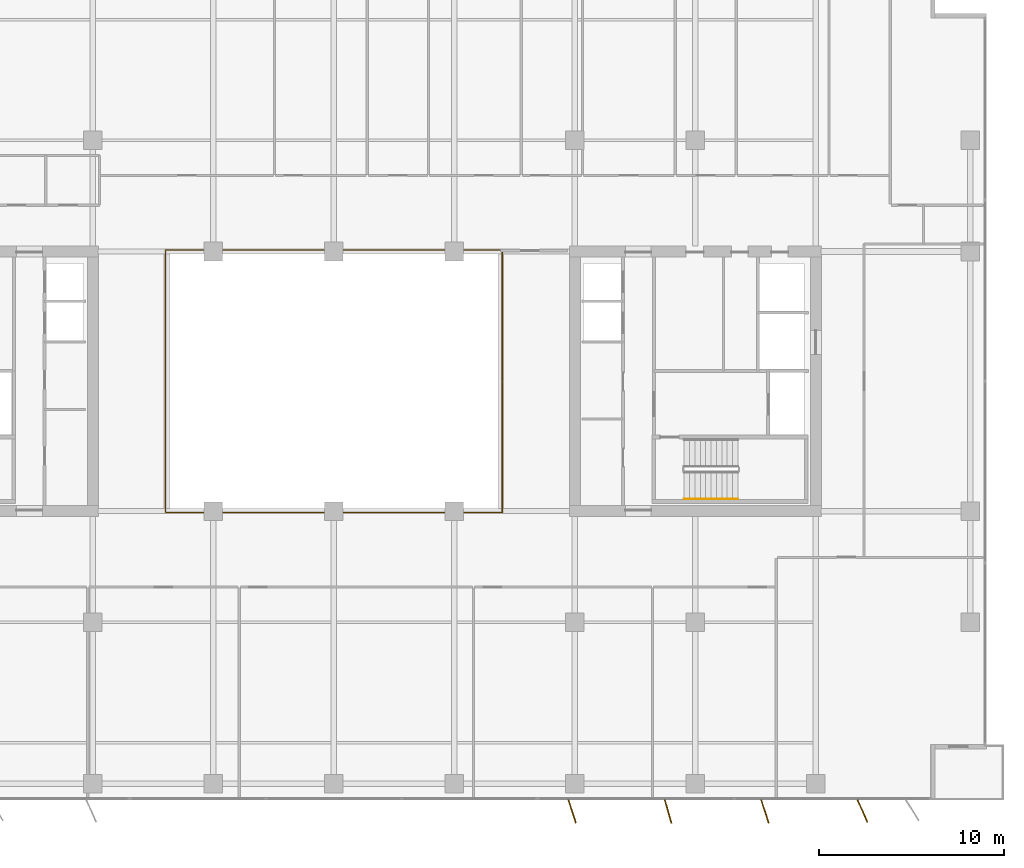
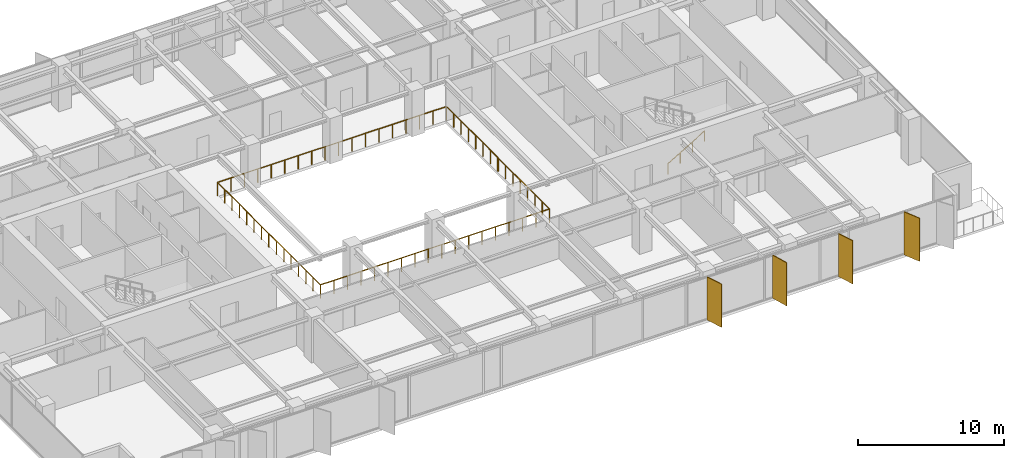
# One storey, part 20 of 22: 4 shading devices, 3 railings.
"""IFC4 building model written with IfcOpenShell, lengths in metres."""

from ifc_helpers import new_model, si_unit, direction, frame, origin, origin_2d, place, context, subcontext, project, spatial, rectangle, circle, extrude, material, layer, layer_set, type_object, element, save


model = new_model("IFC4")

# Units and contexts
model_context = context("Model", 3, precision=1e-05, world=origin(), true_north=direction((0.0, 1.0)))
body_context = subcontext(model_context, "Body", "Model", "MODEL_VIEW")
ifc_project = project(units=[si_unit("LENGTHUNIT", "METRE"), si_unit("AREAUNIT", "SQUARE_METRE"), si_unit("VOLUMEUNIT", "CUBIC_METRE"), si_unit("PLANEANGLEUNIT", "RADIAN"), si_unit("MASSUNIT", "GRAM", prefix="KILO")], contexts=[model_context])

# Site, building, storey
site_placement = place(None, origin())
site = spatial("IfcSite", under=ifc_project, at=site_placement, CompositionType="ELEMENT")
building_placement = place(site_placement, origin())
building = spatial("IfcBuilding", under=site, at=building_placement, Name="Putna Gate Headquarters", CompositionType="ELEMENT")
storey_placement = place(building_placement, frame((0.0, 0.0, 186.0)))
storey = spatial("IfcBuildingStorey", under=building, at=storey_placement, Name="L46", CompositionType="ELEMENT", Elevation=186.0)

# Railings
ifc_material_1 = material(Name="Anodised bronze and laminated glass atrium balustrade", Category="glass")
railing_type_1 = type_object("IfcRailingType", Name="RAIL-ATRIUM-GUARD-1150", PredefinedType="GUARDRAIL", material=ifc_material_1)
railing_1_placement = place(storey_placement, frame((29.919921875, 25.969970703125, 0.0)))
element("IfcRailing", 1, at=railing_1_placement, inside=storey, type_object=railing_type_1, Name="L46 Central Atrium Glazed Balustrade South", PredefinedType="GUARDRAIL", context=body_context, shape_type="SweptSolid", body=[
    extrude(circle(Radius=0.02392578125, at=origin_2d()), frame((0.0, 0.0, 1.1259765625), z_axis=(0.0, -1.0, 0.0), x_axis=(1.0, 0.0, 0.0)), (0.0, 0.0, 1.0), 7.050048828125),
    extrude(circle(Radius=0.02392578125, at=origin_2d()), frame((0.0, -7.050048828125, 1.1259765625), z_axis=(1.0, 0.0, 0.0), x_axis=(0.0, 1.0, 0.0)), (0.0, 0.0, 1.0), 18.16015625),
    extrude(circle(Radius=0.02392578125, at=origin_2d()), frame((18.16015625, -7.050048828125, 1.1259765625), z_axis=(0.0, 1.0, 0.0), x_axis=(-1.0, 0.0, 0.0)), (0.0, 0.0, 1.0), 7.050048828125),
    extrude(circle(Radius=0.02099609375, at=origin_2d()), origin(), (0.0, 0.0, 1.0), 1.101806640625),
    extrude(circle(Radius=0.02099609375, at=origin_2d()), frame((0.0, -1.007080078125, 0.0)), (0.0, 0.0, 1.0), 1.101806640625),
    extrude(circle(Radius=0.02099609375, at=origin_2d()), frame((0.0, -2.014404296875, 0.0)), (0.0, 0.0, 1.0), 1.101806640625),
    extrude(circle(Radius=0.02099609375, at=origin_2d()), frame((0.0, -3.021484375, 0.0)), (0.0, 0.0, 1.0), 1.101806640625),
    extrude(circle(Radius=0.02099609375, at=origin_2d()), frame((0.0, -4.028564453125, 0.0)), (0.0, 0.0, 1.0), 1.101806640625),
    extrude(circle(Radius=0.02099609375, at=origin_2d()), frame((0.0, -5.03564453125, 0.0)), (0.0, 0.0, 1.0), 1.101806640625),
    extrude(circle(Radius=0.02099609375, at=origin_2d()), frame((0.0, -6.04296875, 0.0)), (0.0, 0.0, 1.0), 1.101806640625),
    extrude(circle(Radius=0.02099609375, at=origin_2d()), frame((0.0, -7.050048828125, 0.0)), (0.0, 0.0, 1.0), 1.101806640625),
    extrude(circle(Radius=0.02099609375, at=origin_2d()), frame((1.068359375, -7.050048828125, 0.0)), (0.0, 0.0, 1.0), 1.101806640625),
    extrude(circle(Radius=0.02099609375, at=origin_2d()), frame((2.136474609375, -7.050048828125, 0.0)), (0.0, 0.0, 1.0), 1.101806640625),
    extrude(circle(Radius=0.02099609375, at=origin_2d()), frame((3.204833984375, -7.050048828125, 0.0)), (0.0, 0.0, 1.0), 1.101806640625),
    extrude(circle(Radius=0.02099609375, at=origin_2d()), frame((4.27294921875, -7.050048828125, 0.0)), (0.0, 0.0, 1.0), 1.101806640625),
    extrude(circle(Radius=0.02099609375, at=origin_2d()), frame((5.34130859375, -7.050048828125, 0.0)), (0.0, 0.0, 1.0), 1.101806640625),
    extrude(circle(Radius=0.02099609375, at=origin_2d()), frame((6.409423828125, -7.050048828125, 0.0)), (0.0, 0.0, 1.0), 1.101806640625),
    extrude(circle(Radius=0.02099609375, at=origin_2d()), frame((7.477783203125, -7.050048828125, 0.0)), (0.0, 0.0, 1.0), 1.101806640625),
    extrude(circle(Radius=0.02099609375, at=origin_2d()), frame((8.5458984375, -7.050048828125, 0.0)), (0.0, 0.0, 1.0), 1.101806640625),
    extrude(circle(Radius=0.02099609375, at=origin_2d()), frame((9.6142578125, -7.050048828125, 0.0)), (0.0, 0.0, 1.0), 1.101806640625),
    extrude(circle(Radius=0.02099609375, at=origin_2d()), frame((10.682373046875, -7.050048828125, 0.0)), (0.0, 0.0, 1.0), 1.101806640625),
    extrude(circle(Radius=0.02099609375, at=origin_2d()), frame((11.750732421875, -7.050048828125, 0.0)), (0.0, 0.0, 1.0), 1.101806640625),
    extrude(circle(Radius=0.02099609375, at=origin_2d()), frame((12.81884765625, -7.050048828125, 0.0)), (0.0, 0.0, 1.0), 1.101806640625),
    extrude(circle(Radius=0.02099609375, at=origin_2d()), frame((13.88720703125, -7.050048828125, 0.0)), (0.0, 0.0, 1.0), 1.101806640625),
    extrude(circle(Radius=0.02099609375, at=origin_2d()), frame((14.955322265625, -7.050048828125, 0.0)), (0.0, 0.0, 1.0), 1.101806640625),
    extrude(circle(Radius=0.02099609375, at=origin_2d()), frame((16.023681640625, -7.050048828125, 0.0)), (0.0, 0.0, 1.0), 1.101806640625),
    extrude(circle(Radius=0.02099609375, at=origin_2d()), frame((17.091796875, -7.050048828125, 0.0)), (0.0, 0.0, 1.0), 1.101806640625),
    extrude(circle(Radius=0.02099609375, at=origin_2d()), frame((18.16015625, -7.050048828125, 0.0)), (0.0, 0.0, 1.0), 1.101806640625),
    extrude(circle(Radius=0.02099609375, at=origin_2d()), frame((18.16015625, -6.04296875, 0.0)), (0.0, 0.0, 1.0), 1.101806640625),
    extrude(circle(Radius=0.02099609375, at=origin_2d()), frame((18.16015625, -5.03564453125, 0.0)), (0.0, 0.0, 1.0), 1.101806640625),
    extrude(circle(Radius=0.02099609375, at=origin_2d()), frame((18.16015625, -4.028564453125, 0.0)), (0.0, 0.0, 1.0), 1.101806640625),
    extrude(circle(Radius=0.02099609375, at=origin_2d()), frame((18.16015625, -3.021484375, 0.0)), (0.0, 0.0, 1.0), 1.101806640625),
    extrude(circle(Radius=0.02099609375, at=origin_2d()), frame((18.16015625, -2.014404296875, 0.0)), (0.0, 0.0, 1.0), 1.101806640625),
    extrude(circle(Radius=0.02099609375, at=origin_2d()), frame((18.16015625, -1.007080078125, 0.0)), (0.0, 0.0, 1.0), 1.101806640625),
    extrude(circle(Radius=0.02099609375, at=origin_2d()), frame((18.16015625, 0.0, 0.0)), (0.0, 0.0, 1.0), 1.101806640625),
])
railing_2_placement = place(storey_placement, frame((48.080078125, 26.030029296875, 0.0)))
element("IfcRailing", 2, at=railing_2_placement, inside=storey, type_object=railing_type_1, Name="L46 Central Atrium Glazed Balustrade North", PredefinedType="GUARDRAIL", context=body_context, shape_type="SweptSolid", body=[
    extrude(circle(Radius=0.02392578125, at=origin_2d()), frame((0.0, 0.0, 1.1259765625), z_axis=(0.0, 1.0, 0.0), x_axis=(-1.0, 0.0, 0.0)), (0.0, 0.0, 1.0), 7.050048828125),
    extrude(circle(Radius=0.02392578125, at=origin_2d()), frame((0.0, 7.050048828125, 1.1259765625), z_axis=(-1.0, 0.0, 0.0), x_axis=(0.0, -1.0, 0.0)), (0.0, 0.0, 1.0), 18.16015625),
    extrude(circle(Radius=0.02392578125, at=origin_2d()), frame((-18.16015625, 7.050048828125, 1.1259765625), z_axis=(0.0, -1.0, 0.0), x_axis=(1.0, 0.0, 0.0)), (0.0, 0.0, 1.0), 7.050048828125),
    extrude(circle(Radius=0.02099609375, at=origin_2d()), origin(), (0.0, 0.0, 1.0), 1.101806640625),
    extrude(circle(Radius=0.02099609375, at=origin_2d()), frame((0.0, 1.007080078125, 0.0)), (0.0, 0.0, 1.0), 1.101806640625),
    extrude(circle(Radius=0.02099609375, at=origin_2d()), frame((0.0, 2.014404296875, 0.0)), (0.0, 0.0, 1.0), 1.101806640625),
    extrude(circle(Radius=0.02099609375, at=origin_2d()), frame((0.0, 3.021484375, 0.0)), (0.0, 0.0, 1.0), 1.101806640625),
    extrude(circle(Radius=0.02099609375, at=origin_2d()), frame((0.0, 4.028564453125, 0.0)), (0.0, 0.0, 1.0), 1.101806640625),
    extrude(circle(Radius=0.02099609375, at=origin_2d()), frame((0.0, 5.03564453125, 0.0)), (0.0, 0.0, 1.0), 1.101806640625),
    extrude(circle(Radius=0.02099609375, at=origin_2d()), frame((0.0, 6.04296875, 0.0)), (0.0, 0.0, 1.0), 1.101806640625),
    extrude(circle(Radius=0.02099609375, at=origin_2d()), frame((0.0, 7.050048828125, 0.0)), (0.0, 0.0, 1.0), 1.101806640625),
    extrude(circle(Radius=0.02099609375, at=origin_2d()), frame((-1.068359375, 7.050048828125, 0.0)), (0.0, 0.0, 1.0), 1.101806640625),
    extrude(circle(Radius=0.02099609375, at=origin_2d()), frame((-2.136474609375, 7.050048828125, 0.0)), (0.0, 0.0, 1.0), 1.101806640625),
    extrude(circle(Radius=0.02099609375, at=origin_2d()), frame((-3.204833984375, 7.050048828125, 0.0)), (0.0, 0.0, 1.0), 1.101806640625),
    extrude(circle(Radius=0.02099609375, at=origin_2d()), frame((-4.27294921875, 7.050048828125, 0.0)), (0.0, 0.0, 1.0), 1.101806640625),
    extrude(circle(Radius=0.02099609375, at=origin_2d()), frame((-5.34130859375, 7.050048828125, 0.0)), (0.0, 0.0, 1.0), 1.101806640625),
    extrude(circle(Radius=0.02099609375, at=origin_2d()), frame((-6.409423828125, 7.050048828125, 0.0)), (0.0, 0.0, 1.0), 1.101806640625),
    extrude(circle(Radius=0.02099609375, at=origin_2d()), frame((-7.477783203125, 7.050048828125, 0.0)), (0.0, 0.0, 1.0), 1.101806640625),
    extrude(circle(Radius=0.02099609375, at=origin_2d()), frame((-8.5458984375, 7.050048828125, 0.0)), (0.0, 0.0, 1.0), 1.101806640625),
    extrude(circle(Radius=0.02099609375, at=origin_2d()), frame((-9.6142578125, 7.050048828125, 0.0)), (0.0, 0.0, 1.0), 1.101806640625),
    extrude(circle(Radius=0.02099609375, at=origin_2d()), frame((-10.682373046875, 7.050048828125, 0.0)), (0.0, 0.0, 1.0), 1.101806640625),
    extrude(circle(Radius=0.02099609375, at=origin_2d()), frame((-11.750732421875, 7.050048828125, 0.0)), (0.0, 0.0, 1.0), 1.101806640625),
    extrude(circle(Radius=0.02099609375, at=origin_2d()), frame((-12.81884765625, 7.050048828125, 0.0)), (0.0, 0.0, 1.0), 1.101806640625),
    extrude(circle(Radius=0.02099609375, at=origin_2d()), frame((-13.88720703125, 7.050048828125, 0.0)), (0.0, 0.0, 1.0), 1.101806640625),
    extrude(circle(Radius=0.02099609375, at=origin_2d()), frame((-14.955322265625, 7.050048828125, 0.0)), (0.0, 0.0, 1.0), 1.101806640625),
    extrude(circle(Radius=0.02099609375, at=origin_2d()), frame((-16.023681640625, 7.050048828125, 0.0)), (0.0, 0.0, 1.0), 1.101806640625),
    extrude(circle(Radius=0.02099609375, at=origin_2d()), frame((-17.091796875, 7.050048828125, 0.0)), (0.0, 0.0, 1.0), 1.101806640625),
    extrude(circle(Radius=0.02099609375, at=origin_2d()), frame((-18.16015625, 7.050048828125, 0.0)), (0.0, 0.0, 1.0), 1.101806640625),
    extrude(circle(Radius=0.02099609375, at=origin_2d()), frame((-18.16015625, 6.04296875, 0.0)), (0.0, 0.0, 1.0), 1.101806640625),
    extrude(circle(Radius=0.02099609375, at=origin_2d()), frame((-18.16015625, 5.03564453125, 0.0)), (0.0, 0.0, 1.0), 1.101806640625),
    extrude(circle(Radius=0.02099609375, at=origin_2d()), frame((-18.16015625, 4.028564453125, 0.0)), (0.0, 0.0, 1.0), 1.101806640625),
    extrude(circle(Radius=0.02099609375, at=origin_2d()), frame((-18.16015625, 3.021484375, 0.0)), (0.0, 0.0, 1.0), 1.101806640625),
    extrude(circle(Radius=0.02099609375, at=origin_2d()), frame((-18.16015625, 2.014404296875, 0.0)), (0.0, 0.0, 1.0), 1.101806640625),
    extrude(circle(Radius=0.02099609375, at=origin_2d()), frame((-18.16015625, 1.007080078125, 0.0)), (0.0, 0.0, 1.0), 1.101806640625),
    extrude(circle(Radius=0.02099609375, at=origin_2d()), frame((-18.16015625, 0.0, 0.0)), (0.0, 0.0, 1.0), 1.101806640625),
])
ifc_material_2 = material(Name="Brushed stainless steel handrail", Category="steel")
railing_type_2 = type_object("IfcRailingType", Name="RAIL-STAIR-HAND-900", PredefinedType="HANDRAIL", material=ifc_material_2)
railing_3_placement = place(storey_placement, frame((57.89990234375, 19.64990234375, 0.172607421875)))
element("IfcRailing", 3, at=railing_3_placement, inside=storey, type_object=railing_type_2, Name="L46 ST2 stair handrail 1", PredefinedType="HANDRAIL", context=body_context, shape_type="SweptSolid", body=[
    extrude(circle(Radius=0.02392578125, at=origin_2d()), frame((0.0, 0.0, 0.8759765625), z_axis=(0.859160404282, 0.0, 0.51170636083), x_axis=(0.0, 1.0, 0.0)), (0.0, 0.0, 1.0), 3.37548828125),
    extrude(circle(Radius=0.02099609375, at=origin_2d()), origin(), (0.0, 0.0, 1.0), 0.851806640625),
    extrude(circle(Radius=0.02099609375, at=origin_2d()), frame((0.966796875, 0.0, 0.57568359375)), (0.0, 0.0, 1.0), 0.851806640625),
    extrude(circle(Radius=0.02099609375, at=origin_2d()), frame((1.933349609375, 0.0, 1.151611328125)), (0.0, 0.0, 1.0), 0.851806640625),
    extrude(circle(Radius=0.02099609375, at=origin_2d()), frame((2.900146484375, 0.0, 1.727294921875)), (0.0, 0.0, 1.0), 0.851806640625),
])

# Shading devices
ifc_material_3 = material(Name="Anodised architectural bronze aluminium fin", Category="aluminium")
ifc_layer = layer(ifc_material_3, 0.06494140625)
ifc_layer_set = layer_set([ifc_layer], Name="Anodised architectural bronze aluminium fin")
shading_device_type = type_object("IfcShadingDeviceType", Name="SHADE-BRONZE-FIN-1320", PredefinedType="USERDEFINED", material=ifc_layer_set)
for number, where, z_axis, x_axis, name in (
    (4, (51.853759765625, 2.797119140625, -0.02001953125), (0.0, 0.0, 1.0), (0.308684994204, -0.951164325631, 0.0), "L46 Bronze Vertical Shading Fin S7"),
    (5, (57.031982421875, 2.79052734375, -0.02001953125), (0.0, 0.0, 1.0), (0.275637355817, -0.961261695938, 0.0), "L46 Bronze Vertical Shading Fin S8"),
    (6, (62.253662109375, 2.797119140625, -0.02001953125), (0.0, 0.0, 1.0), (0.308684994204, -0.951164325631, 0.0), "L46 Bronze Vertical Shading Fin S9"),
    (7, (67.514404296875, 2.8203125, -0.02001953125), (0.0, 0.0, 1.0), (0.400668879095, -0.916222925562, 0.0), "L46 Bronze Vertical Shading Fin S10"),
):
    element("IfcShadingDevice", number, at=place(storey_placement, frame(where, z_axis=z_axis, x_axis=x_axis)), inside=storey, type_object=shading_device_type, Name=name, ObjectType="FIN", PredefinedType="USERDEFINED", context=body_context, shape_type="SweptSolid", body=[
        extrude(rectangle(XDim=1.320068359375, YDim=0.06494140625, at=origin_2d()), origin(), (0.0, 0.0, 1.0), 3.612060546875),
    ])

save(model, "model.ifc")
